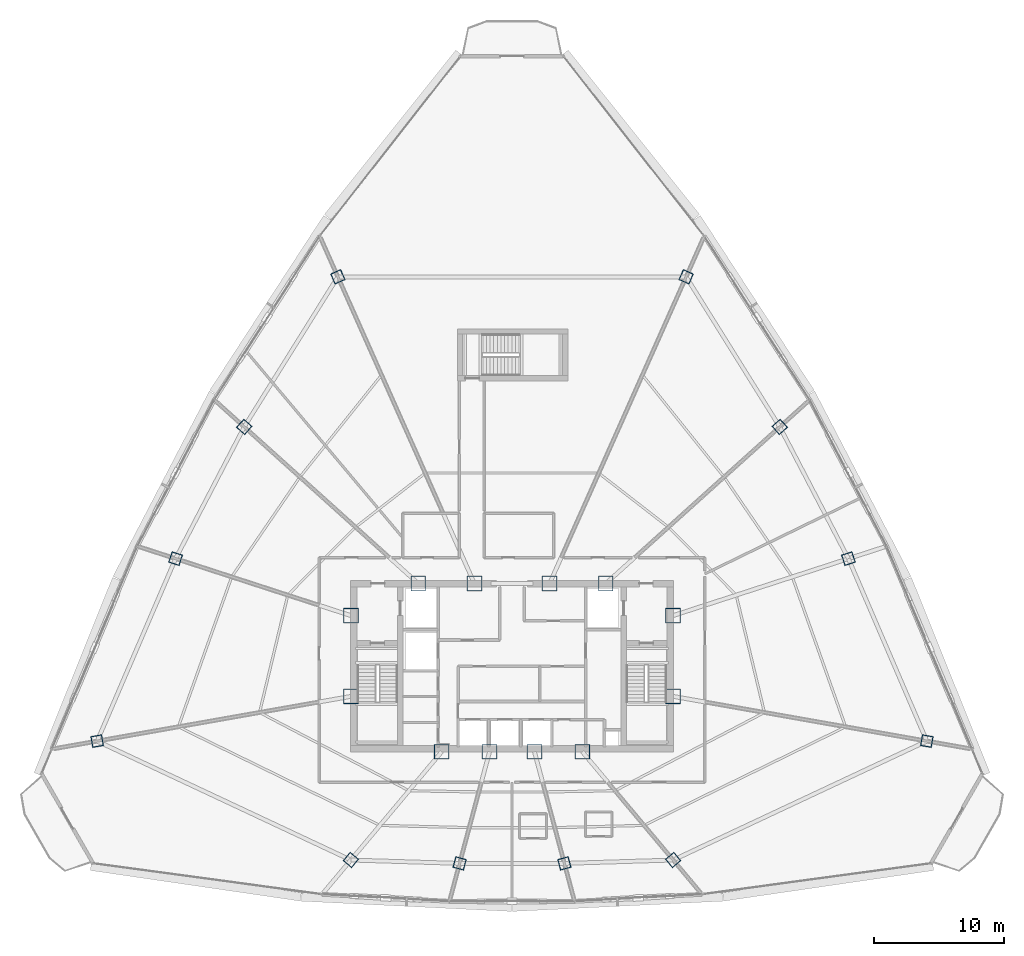
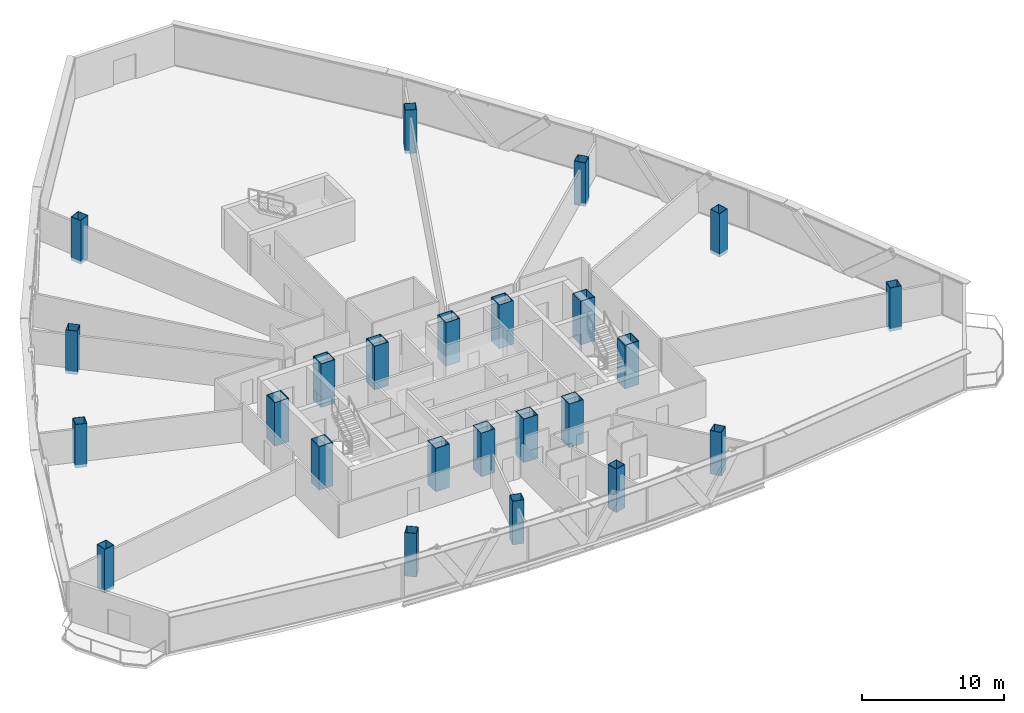
# One storey, part 1 of 34: 24 columns.
"""IFC4 building model written with IfcOpenShell, lengths in metres."""

import ifcopenshell
import ifcopenshell.guid

model = None  # the IFC model being written
_history = None  # IfcOwnerHistory: only IFC2X3 demands one
_inside = {}  # id of a spatial element -> (the spatial element, [elements in it])
_under = {}  # id of a project, library or spatial element -> (it, [spatial elements below it])
_declared = {}  # id of a project -> (the project, [libraries it declares])
_typed = {}  # id of a type object -> (the type object, [elements of that type])
_made_of = {}  # id of a material, layer set ... -> (it, [elements and type objects made of it])


def new_model(schema):
    """Start an empty IFC model of exactly this schema.

    Asked for "IFC4X3", IfcOpenShell would pick the latest addendum, in which some entities
    have other attributes; the version numbers below select the first issue.
    IFC2X3 requires an IfcOwnerHistory on every rooted entity: one is made here for all.
    """
    global model, _history
    if schema == "IFC4X3":
        model = ifcopenshell.file(schema_version=(4, 3, 0, 0))
    else:
        model = ifcopenshell.file(schema=schema)
    _inside.clear()
    _under.clear()
    _declared.clear()
    _typed.clear()
    _made_of.clear()
    _history = None
    if model.schema == "IFC2X3":
        org = make("IfcOrganization", Name="unknown")
        user = make(
            "IfcPersonAndOrganization",
            ThePerson=make("IfcPerson", FamilyName="unknown"),
            TheOrganization=org,
        )
        app = make(
            "IfcApplication",
            ApplicationDeveloper=org,
            Version="unknown",
            ApplicationFullName="unknown",
            ApplicationIdentifier="unknown",
        )
        _history = make(
            "IfcOwnerHistory",
            OwningUser=user,
            OwningApplication=app,
            ChangeAction="ADDED",
            CreationDate=0,
        )
    return model


def make(cls, **values):
    """One entity of the class cls with the attributes given. An attribute that is None is left unset."""
    return model.create_entity(
        cls, **{name: value for name, value in values.items() if value is not None}
    )


def rooted(cls, **values):
    """An entity with a GlobalId (a new one), such as an element, a storey or a relation."""
    return make(cls, GlobalId=ifcopenshell.guid.new(), OwnerHistory=_history, **values)


def si_unit(unit_type, name, prefix=None):
    """IfcSIUnit, for example si_unit("LENGTHUNIT", "METRE", prefix="MILLI")."""
    return make("IfcSIUnit", UnitType=unit_type, Prefix=prefix, Name=name)


def assignment(units):
    """IfcUnitAssignment: the units of a project."""
    return None if units is None else make("IfcUnitAssignment", Units=units)


def point(xyz):
    """IfcCartesianPoint."""
    return None if xyz is None else make("IfcCartesianPoint", Coordinates=xyz)


def direction(xyz):
    """IfcDirection."""
    return None if xyz is None else make("IfcDirection", DirectionRatios=xyz)


def frame(location, z_axis=None, x_axis=None):
    """IfcAxis2Placement3D, a coordinate frame: its origin and axes. An axis left out is left unset."""
    return make(
        "IfcAxis2Placement3D",
        Location=point(location),
        Axis=direction(z_axis),
        RefDirection=direction(x_axis),
    )


def frame_2d(location, x_axis=None):
    """IfcAxis2Placement2D, a coordinate frame in the plane: its origin and x axis."""
    return make(
        "IfcAxis2Placement2D", Location=point(location), RefDirection=direction(x_axis)
    )


def origin():
    """The frame at (0, 0, 0) with its axes left unset."""
    return frame((0.0, 0.0, 0.0))


def origin_2d():
    """The frame at (0, 0) in the plane with its x axis left unset."""
    return frame_2d((0.0, 0.0))


def place(relative_to, where):
    """IfcLocalPlacement: puts the frame where relative to a parent placement (None: the world)."""
    return make(
        "IfcLocalPlacement", PlacementRelTo=relative_to, RelativePlacement=where
    )


def context(
    kind, dimensions, precision=None, world=None, true_north=None, identifier=None
):
    """IfcGeometricRepresentationContext, for example the 3D "Model" context."""
    return make(
        "IfcGeometricRepresentationContext",
        ContextIdentifier=identifier,
        ContextType=kind,
        CoordinateSpaceDimension=dimensions,
        Precision=precision,
        WorldCoordinateSystem=world,
        TrueNorth=true_north,
    )


def subcontext(parent, identifier, kind, view, scale=None):
    """IfcGeometricRepresentationSubContext, for example "Body" below "Model"."""
    return make(
        "IfcGeometricRepresentationSubContext",
        ContextIdentifier=identifier,
        ContextType=kind,
        ParentContext=parent,
        TargetScale=scale,
        TargetView=view,
    )


def project(units=None, contexts=None):
    """IfcProject with its units and contexts."""
    return rooted(
        "IfcProject",
        Name="project",
        RepresentationContexts=contexts,
        UnitsInContext=assignment(units),
    )


def spatial(cls, under=None, at=None, **own):
    """A site, building, storey or space (cls), placed at a placement, below another one or the project."""
    s = rooted(cls, ObjectPlacement=at, **own)
    if under is not None:
        _under.setdefault(under.id(), (under, []))[1].append(s)
    return s


def profile(cls, at=None, kind="AREA", **sizes):
    """A parametric profile (cls). Its sizes go by their IFC names, for example OverallWidth=200.0."""
    return make(cls, ProfileType=kind, Position=at, **sizes)


def hollow_rectangle(**sizes):
    """IfcRectangleHollowProfileDef."""
    return profile("IfcRectangleHollowProfileDef", **sizes)


def extrude(swept, where, along, depth):
    """IfcExtrudedAreaSolid: the profile swept, set in the frame where, extruded along a direction by depth."""
    return make(
        "IfcExtrudedAreaSolid",
        SweptArea=swept,
        Position=where,
        ExtrudedDirection=direction(along),
        Depth=depth,
    )


def shape(context_of_items, identifier, shape_type, items):
    """IfcShapeRepresentation: the items that make up one representation, for example the "Body"."""
    return make(
        "IfcShapeRepresentation",
        ContextOfItems=context_of_items,
        RepresentationIdentifier=identifier,
        RepresentationType=shape_type,
        Items=items,
    )


def source(mapping_origin, context_of_items, identifier, shape_type, items):
    """IfcRepresentationMap: a shape defined once, which mapped items show again and again."""
    return make(
        "IfcRepresentationMap",
        MappingOrigin=mapping_origin,
        MappedRepresentation=shape(context_of_items, identifier, shape_type, items),
    )


def transform(
    local_origin,
    x_axis=None,
    y_axis=None,
    z_axis=None,
    scale=None,
    scale2=None,
    scale3=None,
    uniform=True,
):
    """IfcCartesianTransformationOperator3D, or its non-uniform kind. x_axis, y_axis, z_axis: its Axis1, 2, 3."""
    if uniform:
        return make(
            "IfcCartesianTransformationOperator3D",
            Axis1=direction(x_axis),
            Axis2=direction(y_axis),
            LocalOrigin=point(local_origin),
            Scale=scale,
            Axis3=direction(z_axis),
        )
    return make(
        "IfcCartesianTransformationOperator3DnonUniform",
        Axis1=direction(x_axis),
        Axis2=direction(y_axis),
        LocalOrigin=point(local_origin),
        Scale=scale,
        Axis3=direction(z_axis),
        Scale2=scale2,
        Scale3=scale3,
    )


def mapped(mapping_source, mapping_target):
    """IfcMappedItem: shows the shape of a source again, moved by a transform."""
    return make(
        "IfcMappedItem", MappingSource=mapping_source, MappingTarget=mapping_target
    )


def material(Name=None, Category=None):
    """IfcMaterial."""
    return make("IfcMaterial", Name=Name, Category=Category)


def material_profile(
    of_material, cross_section, Name=None, Category=None, Priority=None
):
    """IfcMaterialProfile: a cross section and its material."""
    return make(
        "IfcMaterialProfile",
        Name=Name,
        Material=of_material,
        Profile=cross_section,
        Priority=Priority,
        Category=Category,
    )


def profile_set(profiles, Name=None, composite=None):
    """IfcMaterialProfileSet."""
    return make(
        "IfcMaterialProfileSet",
        Name=Name,
        MaterialProfiles=profiles,
        CompositeProfile=composite,
    )


def made_of(thing, what):
    """Note that an element or type object is made of a material, layer set ...; save() writes the relation."""
    if what is not None:
        _made_of.setdefault(what.id(), (what, []))[1].append(thing)
    return thing


def type_object(cls, material=None, **own):
    """A type object (cls), such as IfcWallType, which elements share."""
    return made_of(rooted(cls, **own), material)


def element(
    cls,
    number,
    at=None,
    inside=None,
    cuts=None,
    type_object=None,
    material=None,
    context=None,
    identifier="Body",
    shape_type=None,
    held_by="IfcProductDefinitionShape",
    body=None,
    shapes=None,
    **own,
):
    """One element of the class cls, such as IfcWall. Its Tag is "e" and its number.

    at: its placement. inside: the storey or other place that contains it. cuts: it is an
    opening in that element (IfcRelVoidsElement). A single representation is given by context,
    identifier, shape_type and body (its items); several are given by shapes. held_by: the class
    of the entity that holds the representations. save() writes the other relations.
    """
    e = rooted(cls, Tag="e%d" % number, ObjectPlacement=at, **own)
    if body is not None:
        shapes = [shape(context, identifier, shape_type, body)]
    if shapes is not None:
        e.Representation = make(held_by, Representations=shapes)
    if inside is not None:
        _inside.setdefault(inside.id(), (inside, []))[1].append(e)
    if cuts is not None:
        rooted(
            "IfcRelVoidsElement", RelatingBuildingElement=cuts, RelatedOpeningElement=e
        )
    if type_object is not None:
        _typed.setdefault(type_object.id(), (type_object, []))[1].append(e)
    return made_of(e, material)


def aggregate(whole, parts):
    """IfcRelAggregates: a whole, such as a stair, and the parts it consists of."""
    return rooted("IfcRelAggregates", RelatingObject=whole, RelatedObjects=parts)


def save(model, path):
    """Write the relations noted so far, then the file.

    IfcRelAggregates (storeys below a building ...), IfcRelContainedInSpatialStructure (elements
    in a storey), IfcRelDefinesByType, IfcRelAssociatesMaterial and IfcRelDeclares: one each for
    every whole, place, type object, material and project.
    """
    for whole, parts in _under.values():
        aggregate(whole, parts)
    for where, things in _inside.values():
        rooted(
            "IfcRelContainedInSpatialStructure",
            RelatedElements=things,
            RelatingStructure=where,
        )
    for kind, things in _typed.values():
        rooted("IfcRelDefinesByType", RelatedObjects=things, RelatingType=kind)
    for what, things in _made_of.values():
        rooted("IfcRelAssociatesMaterial", RelatedObjects=things, RelatingMaterial=what)
    for by, libraries in _declared.values():
        rooted("IfcRelDeclares", RelatingContext=by, RelatedDefinitions=libraries)
    model.write(path)


model = new_model("IFC4")

# Units and contexts
model_context = context("Model", 3, precision=1e-05, world=origin(), true_north=direction((0.0, 1.0)))
body_context = subcontext(model_context, "Body", "Model", "MODEL_VIEW")
ifc_project = project(units=[si_unit("LENGTHUNIT", "METRE"), si_unit("AREAUNIT", "SQUARE_METRE"), si_unit("VOLUMEUNIT", "CUBIC_METRE"), si_unit("PLANEANGLEUNIT", "RADIAN"), si_unit("MASSUNIT", "GRAM", prefix="KILO"), si_unit("THERMODYNAMICTEMPERATUREUNIT", "KELVIN"), si_unit("POWERUNIT", "WATT")], contexts=[model_context])

# Site, building, storey
site_placement = place(None, origin())
site = spatial("IfcSite", under=ifc_project, at=site_placement, CompositionType="ELEMENT")
building_placement = place(site_placement, origin())
building = spatial("IfcBuilding", under=site, at=building_placement, Name="Yunzhuo Pagoda Commons", CompositionType="ELEMENT")
storey_placement = place(building_placement, frame((0.0, 0.0, 233.340087890625)))
storey = spatial("IfcBuildingStorey", under=building, at=storey_placement, Name="L58", CompositionType="ELEMENT", Elevation=233.340087890625)

# Columns
ifc_material_1 = material(Name="Structural steel Q420B", Category="steel")
ifc_material_profile_1 = material_profile(ifc_material_1, hollow_rectangle(XDim=1.14990234375, YDim=1.14990234375, WallThickness=0.048095703125, at=origin_2d()), Name="Structural steel Q420B")
ifc_profile_set_1 = profile_set([ifc_material_profile_1], Name="Structural steel Q420B")
column_type_1 = type_object("IfcColumnType", Name="C-COR Column BOX 1150x1150x48", PredefinedType="COLUMN", material=ifc_profile_set_1)
shared_shape_1 = source(origin(), body_context, "Body", "SweptSolid", [
    extrude(hollow_rectangle(XDim=1.14990234375, YDim=1.14990234375, WallThickness=0.048095703125, at=origin_2d()), origin(), (0.0, 0.0, 1.0), 3.72998046875),
])
for number, where, z_axis, x_axis, name in (
    (1, (42.587890625, 27.25, -0.260009765625), (0.0, 0.0, 1.0), (1.0, 0.0, 0.0), "L58 core composite column F1C1"),
    (2, (46.27197265625, 27.25, -0.260009765625), (0.0, 0.0, 1.0), (1.0, 0.0, 0.0), "L58 core composite column F1C2"),
    (3, (49.728515625, 27.25, -0.260009765625), (0.0, 0.0, 1.0), (1.0, 0.0, 0.0), "L58 core composite column F1C3"),
    (4, (53.412109375, 27.25, -0.260009765625), (0.0, 0.0, 1.0), (1.0, 0.0, 0.0), "L58 core composite column F1C4"),
    (5, (60.39990234375, 31.513427734375, -0.260009765625), (0.0, 0.0, 1.0), (1.0, 0.0, 0.0), "L58 core composite column F2C1"),
    (6, (60.39990234375, 37.72900390625, -0.260009765625), (0.0, 0.0, 1.0), (1.0, 0.0, 0.0), "L58 core composite column F2C2"),
    (7, (55.218994140625, 40.199951171875, -0.260009765625), (0.0, 0.0, 1.0), (1.0, 0.0, 0.0), "L58 core composite column F2C3"),
    (8, (50.89404296875, 40.199951171875, -0.260009765625), (0.0, 0.0, 1.0), (1.0, 0.0, 0.0), "L58 core composite column F2C4"),
    (9, (45.10595703125, 40.199951171875, -0.260009765625), (0.0, 0.0, 1.0), (1.0, 0.0, 0.0), "L58 core composite column F3C1"),
    (10, (40.781005859375, 40.199951171875, -0.260009765625), (0.0, 0.0, 1.0), (1.0, 0.0, 0.0), "L58 core composite column F3C2"),
    (11, (35.60009765625, 37.72900390625, -0.260009765625), (0.0, 0.0, 1.0), (1.0, 0.0, 0.0), "L58 core composite column F3C3"),
    (12, (35.60009765625, 31.513427734375, -0.260009765625), (0.0, 0.0, 1.0), (1.0, 0.0, 0.0), "L58 core composite column F3C4"),
):
    element("IfcColumn", number, at=place(storey_placement, frame(where, z_axis=z_axis, x_axis=x_axis)), inside=storey, type_object=column_type_1, Name=name, PredefinedType="COLUMN", context=body_context, shape_type="MappedRepresentation", body=[
        mapped(shared_shape_1, transform((0.0, 0.0, 0.0), scale=1.0)),
    ])
ifc_material_2 = material(Name="Structural steel Q355B", Category="steel")
ifc_material_profile_2 = material_profile(ifc_material_2, hollow_rectangle(XDim=0.85009765625, YDim=0.85009765625, WallThickness=0.033935546875, at=origin_2d()), Name="Structural steel Q355B")
ifc_profile_set_2 = profile_set([ifc_material_profile_2], Name="Structural steel Q355B")
column_type_2 = type_object("IfcColumnType", Name="C-Z5 Column BOX 850x850x34", PredefinedType="COLUMN", material=ifc_profile_set_2)
shared_shape_2 = source(origin(), body_context, "Body", "SweptSolid", [
    extrude(hollow_rectangle(XDim=0.85009765625, YDim=0.85009765625, WallThickness=0.033935546875, at=origin_2d()), origin(), (0.0, 0.0, 1.0), 3.72998046875),
])
for number, where, z_axis, x_axis, name in (
    (13, (35.593017578125, 18.913818359375, -0.260009765625), (0.0, 0.0, 1.0), (0.766044443119, -0.642787609687, 0.0), "L58 tower column F1C1"),
    (14, (43.968505859375, 18.654052734375, -0.260009765625), (0.0, 0.0, 1.0), (0.965925826289, -0.258819045103, 0.0), "L58 tower column F1C2"),
    (15, (52.031494140625, 18.654052734375, -0.260009765625), (0.0, 0.0, 1.0), (0.965925826289, 0.258819045103, 0.0), "L58 tower column F1C3"),
    (16, (60.406982421875, 18.913818359375, -0.260009765625), (0.0, 0.0, 1.0), (0.766044443119, 0.642787609687, 0.0), "L58 tower column F1C4"),
    (17, (79.93408203125, 28.069091796875, -0.260009765625), (0.0, 0.0, 1.0), (0.173648177667, 0.984807753012, 0.0), "L58 tower column F2C1"),
    (18, (73.898681640625, 42.114990234375, -0.260009765625), (0.0, 0.0, 1.0), (-0.309016994375, 0.951056516295, 0.0), "L58 tower column F2C2"),
    (19, (68.61181640625, 52.259033203125, -0.260009765625), (0.0, 0.0, 1.0), (-0.669130606359, 0.743144825477, 0.0), "L58 tower column F2C3"),
    (20, (61.40673828125, 63.81201171875, -0.260009765625), (0.0, 0.0, 1.0), (-0.913545457643, 0.406736643076, 0.0), "L58 tower column F2C4"),
    (21, (34.59326171875, 63.81201171875, -0.260009765625), (0.0, 0.0, 1.0), (-0.913545457643, -0.406736643076, 0.0), "L58 tower column F3C1"),
    (22, (27.38818359375, 52.259033203125, -0.260009765625), (0.0, 0.0, 1.0), (-0.669130606359, -0.743144825477, 0.0), "L58 tower column F3C2"),
    (23, (22.101806640625, 42.114990234375, -0.260009765625), (0.0, 0.0, 1.0), (-0.309016994375, -0.951056516295, 0.0), "L58 tower column F3C3"),
    (24, (16.06591796875, 28.069091796875, -0.260009765625), (0.0, 0.0, 1.0), (0.173648177667, -0.984807753012, 0.0), "L58 tower column F3C4"),
):
    element("IfcColumn", number, at=place(storey_placement, frame(where, z_axis=z_axis, x_axis=x_axis)), inside=storey, type_object=column_type_2, Name=name, PredefinedType="COLUMN", context=body_context, shape_type="MappedRepresentation", body=[
        mapped(shared_shape_2, transform((0.0, 0.0, 0.0), scale=1.0)),
    ])

save(model, "model.ifc")
